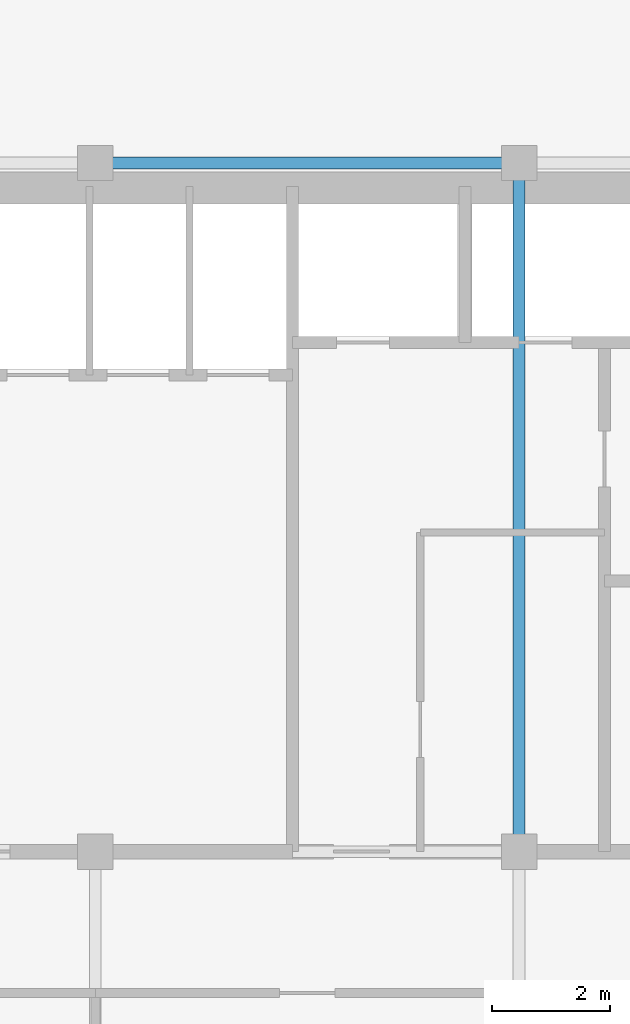
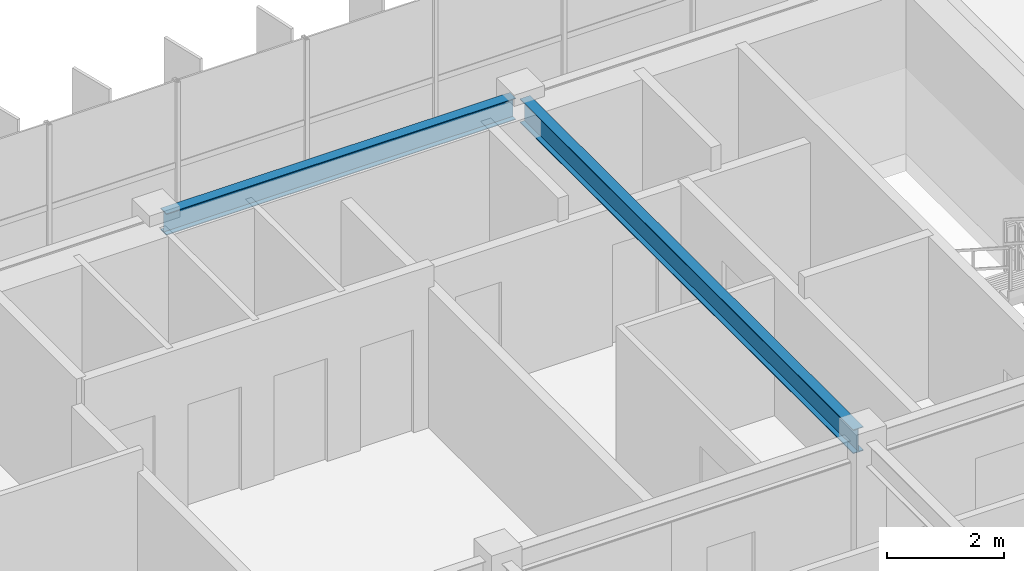
# One storey, part 10 of 21: 2 beams.
"""IFC4 building model written with IfcOpenShell, lengths in metres."""

from ifc_helpers import new_model, si_unit, direction, frame, origin, origin_2d, place, context, subcontext, project, spatial, i_section, extrude, source, transform, mapped, material, material_profile, profile_set, type_object, element, save


model = new_model("IFC4")

# Units and contexts
model_context = context("Model", 3, precision=1e-05, world=origin(), true_north=direction((0.0, 1.0)))
body_context = subcontext(model_context, "Body", "Model", "MODEL_VIEW")
ifc_project = project(units=[si_unit("LENGTHUNIT", "METRE"), si_unit("AREAUNIT", "SQUARE_METRE"), si_unit("VOLUMEUNIT", "CUBIC_METRE"), si_unit("PLANEANGLEUNIT", "RADIAN"), si_unit("MASSUNIT", "GRAM", prefix="KILO")], contexts=[model_context])

# Site, building, storey
site_placement = place(None, origin())
site = spatial("IfcSite", under=ifc_project, at=site_placement, CompositionType="ELEMENT")
building_placement = place(site_placement, origin())
building = spatial("IfcBuilding", under=site, at=building_placement, Name="Trelvane Seafront Commons", CompositionType="ELEMENT")
storey_placement = place(building_placement, frame((0.0, 0.0, 248.699951171875)))
storey = spatial("IfcBuildingStorey", under=building, at=storey_placement, Name="L64", CompositionType="ELEMENT", Elevation=248.699951171875)

# Beams
ifc_material = material(Name="Steel SM355 (S355)", Category="steel")
ifc_material_profile_1 = material_profile(ifc_material, i_section(OverallWidth=0.199951171875, OverallDepth=0.5, WebThickness=0.010009765625, FlangeThickness=0.01611328125, at=origin_2d()), Name="H-500x200x10x16")
ifc_profile_set_1 = profile_set([ifc_material_profile_1], Name="Steel SM355 (S355)")
beam_type_1 = type_object("IfcBeamType", Name="STR-BM-H500", PredefinedType="BEAM", material=ifc_profile_set_1)
shared_shape_1 = source(origin(), body_context, "Body", "SweptSolid", [
    extrude(i_section(OverallWidth=0.199951171875, OverallDepth=0.5, WebThickness=0.010009765625, FlangeThickness=0.01611328125, at=origin_2d()), origin(), (0.0, 0.0, 1.0), 11.39990234375),
])
beam_1_placement = place(storey_placement, frame((51.0, 33.550048828125, 3.1201171875), z_axis=(0.0, 1.0, 0.0), x_axis=(-1.0, 0.0, 0.0)))
element("IfcBeam", 1, at=beam_1_placement, inside=storey, type_object=beam_type_1, Name="L64 Primary Girder G-46", PredefinedType="BEAM", context=body_context, shape_type="MappedRepresentation", body=[
    mapped(shared_shape_1, transform((0.0, 0.0, 0.0), x_axis=(1.0, 0.0, 0.0), y_axis=(0.0, 1.0, 0.0), z_axis=(0.0, 0.0, 1.0), scale=1.0)),
])
ifc_material_profile_2 = material_profile(ifc_material, i_section(OverallWidth=0.199951171875, OverallDepth=0.449951171875, WebThickness=0.009033203125, FlangeThickness=0.013916015625, at=origin_2d()), Name="H-450x200x9x14")
ifc_profile_set_2 = profile_set([ifc_material_profile_2], Name="Steel SM355 (S355)")
beam_type_2 = type_object("IfcBeamType", Name="STR-SPD-H450", PredefinedType="SPANDREL", material=ifc_profile_set_2)
shared_shape_2 = source(origin(), body_context, "Body", "SweptSolid", [
    extrude(i_section(OverallWidth=0.199951171875, OverallDepth=0.449951171875, WebThickness=0.009033203125, FlangeThickness=0.013916015625, at=origin_2d()), origin(), (0.0, 0.0, 1.0), 6.900146484375),
])
beam_2_placement = place(storey_placement, frame((43.949951171875, 45.10009765625, 3.14501953125), z_axis=(1.0, 0.0, 0.0), x_axis=(0.0, 1.0, 0.0)))
element("IfcBeam", 2, at=beam_2_placement, inside=storey, type_object=beam_type_2, Name="L64 Primary Girder G-26", PredefinedType="SPANDREL", context=body_context, shape_type="MappedRepresentation", body=[
    mapped(shared_shape_2, transform((0.0, 0.0, 0.0), x_axis=(1.0, 0.0, 0.0), y_axis=(0.0, 1.0, 0.0), z_axis=(0.0, 0.0, 1.0), scale=1.0)),
])

save(model, "model.ifc")
